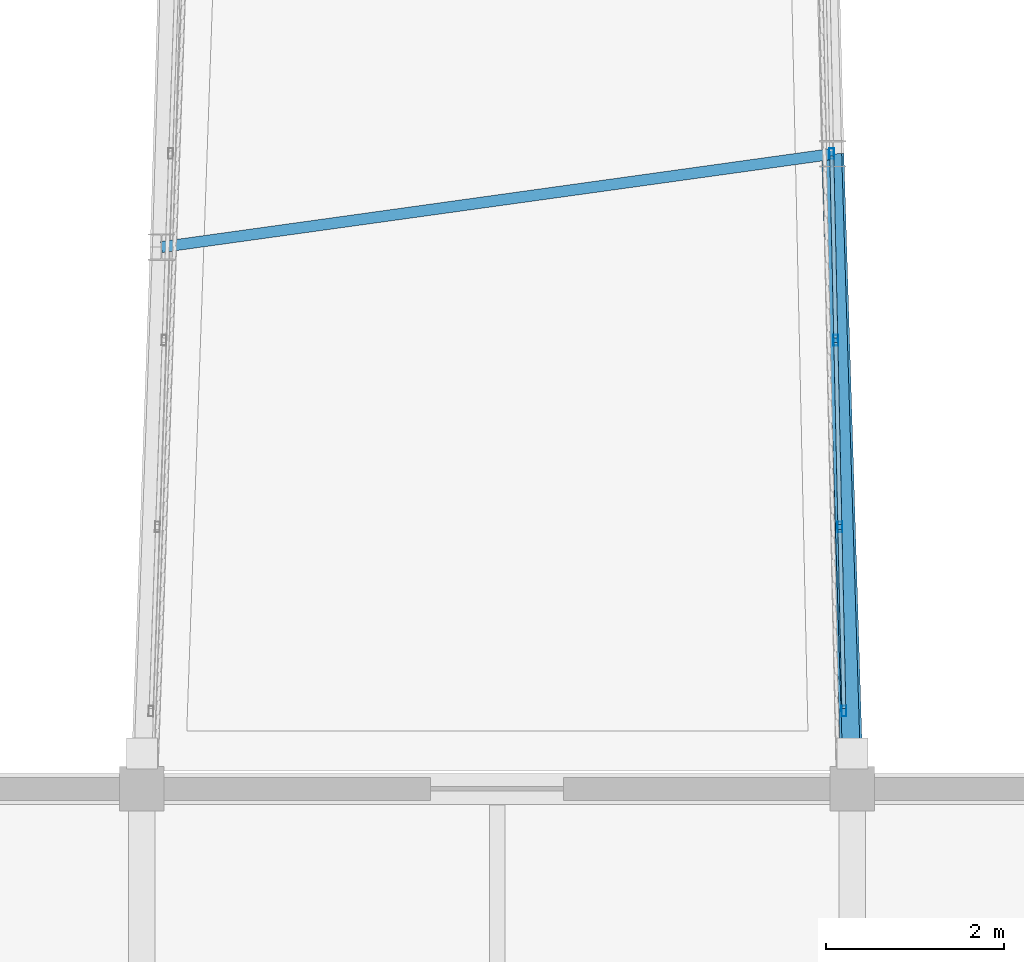
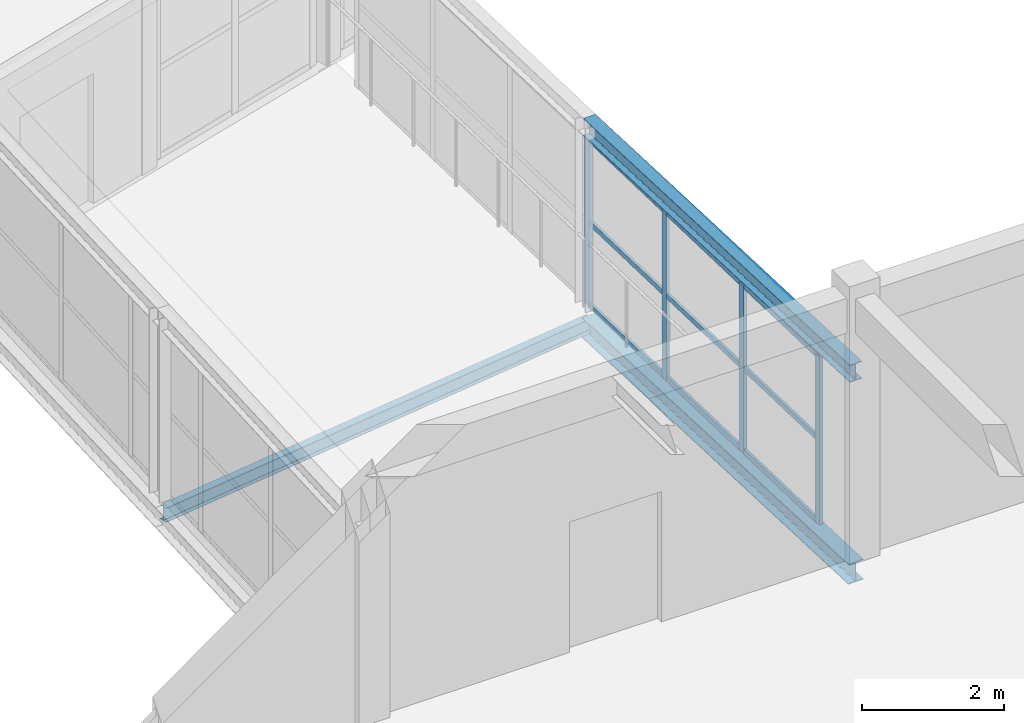
# One storey, part 21 of 248: 16 members, 1 element without a shape of its own.
"""IFC4 building model written with IfcOpenShell, lengths in metres."""

from ifc_helpers import new_model, si_unit, direction, frame, origin, origin_2d, place, context, subcontext, project, spatial, hollow_rectangle, i_section, extrude, material, layer, layer_set, material_profile, profile_set, type_object, element, aggregate, save


model = new_model("IFC4")

# Units and contexts
model_context = context("Model", 3, precision=1e-05, world=origin(), true_north=direction((0.0, 1.0)))
body_context = subcontext(model_context, "Body", "Model", "MODEL_VIEW")
ifc_project = project(units=[si_unit("LENGTHUNIT", "METRE"), si_unit("AREAUNIT", "SQUARE_METRE"), si_unit("VOLUMEUNIT", "CUBIC_METRE"), si_unit("PLANEANGLEUNIT", "RADIAN"), si_unit("MASSUNIT", "GRAM", prefix="KILO")], contexts=[model_context])

# Site, building, storey
site_placement = place(None, origin())
site = spatial("IfcSite", under=ifc_project, at=site_placement, CompositionType="ELEMENT")
building_placement = place(site_placement, origin())
building = spatial("IfcBuilding", under=site, at=building_placement, Name="Canggui Botanical Conservatory", CompositionType="ELEMENT")
storey_placement = place(building_placement, frame((0.0, 0.0, 5.39990234375)))
storey = spatial("IfcBuildingStorey", under=building, at=storey_placement, Name="L02", CompositionType="ELEMENT", Elevation=5.39990234375)

# Curtain wall, members
ifc_material_1 = material(Name="Thermally Broken Aluminium", Category="aluminium")
ifc_layer = layer(ifc_material_1, 0.1201171875, Name="Thermally Broken Aluminium", Category="aluminium")
ifc_layer_set = layer_set([ifc_layer], Name="Thermally Broken Aluminium")
curtain_wall_type = type_object("IfcCurtainWallType", Name="CW-STICK-B", PredefinedType="USERDEFINED", material=ifc_layer_set)
curtain_wall_placement = place(storey_placement, origin())
curtain_wall = element("IfcCurtainWall", 1, at=curtain_wall_placement, inside=storey, type_object=curtain_wall_type, Name="Facade Curtain Wall CW-SB-02-2", ObjectType="STICK GLAZED WALL", PredefinedType="USERDEFINED")
ifc_material_profile_1 = material_profile(ifc_material_1, hollow_rectangle(XDim=0.054931640625, YDim=0.1201171875, WallThickness=0.0029296875, at=origin_2d()), Name="CWM 55x120x3")
ifc_profile_set_1 = profile_set([ifc_material_profile_1], Name="Thermally Broken Aluminium")
member_type_1 = type_object("IfcMemberType", Name="CWM-05", PredefinedType="MULLION", material=ifc_profile_set_1)
member_1_placement = place(storey_placement, frame((41.9052734375, 34.87646484375, 0.0), z_axis=(0.0, 0.0, 1.0), x_axis=(-0.999761186008, -0.021853396804, 0.0)))
member_1 = element("IfcMember", 2, at=member_1_placement, type_object=member_type_1, Name="CW-05 mullion 1", PredefinedType="MULLION", context=body_context, shape_type="SweptSolid", body=[
    extrude(hollow_rectangle(XDim=0.054931640625, YDim=0.1201171875, WallThickness=0.0029296875, at=origin_2d()), origin(), (0.0, 0.0, 1.0), 2.900146484375),
])
member_2_placement = place(storey_placement, frame((41.85986328125, 36.950439453125, 0.0), z_axis=(0.0, 0.0, 1.0), x_axis=(-0.999761186008, -0.021853396804, 0.0)))
member_2 = element("IfcMember", 3, at=member_2_placement, type_object=member_type_1, Name="CW-05 mullion 2", PredefinedType="MULLION", context=body_context, shape_type="SweptSolid", body=[
    extrude(hollow_rectangle(XDim=0.054931640625, YDim=0.1201171875, WallThickness=0.0029296875, at=origin_2d()), origin(), (0.0, 0.0, 1.0), 2.900146484375),
])
member_3_placement = place(storey_placement, frame((41.81396484375, 39.0517578125, 0.0), z_axis=(0.0, 0.0, 1.0), x_axis=(-0.999761186008, -0.021853396804, 0.0)))
member_3 = element("IfcMember", 4, at=member_3_placement, type_object=member_type_1, Name="CW-05 mullion 3", PredefinedType="MULLION", context=body_context, shape_type="SweptSolid", body=[
    extrude(hollow_rectangle(XDim=0.054931640625, YDim=0.1201171875, WallThickness=0.0029296875, at=origin_2d()), origin(), (0.0, 0.0, 1.0), 2.900146484375),
])
member_4_placement = place(storey_placement, frame((41.76806640625, 41.153076171875, 0.0), z_axis=(0.0, 0.0, 1.0), x_axis=(-0.999761186008, -0.021853396804, 0.0)))
member_4 = element("IfcMember", 5, at=member_4_placement, type_object=member_type_1, Name="CW-05 mullion 4", PredefinedType="MULLION", context=body_context, shape_type="SweptSolid", body=[
    extrude(hollow_rectangle(XDim=0.054931640625, YDim=0.1201171875, WallThickness=0.0029296875, at=origin_2d()), origin(), (0.0, 0.0, 1.0), 2.900146484375),
])
ifc_material_profile_2 = material_profile(ifc_material_1, hollow_rectangle(XDim=0.044921875, YDim=0.090087890625, WallThickness=0.0029296875, at=origin_2d()), Name="CWT 45x90x3")
ifc_profile_set_2 = profile_set([ifc_material_profile_2], Name="Thermally Broken Aluminium")
member_type_2 = type_object("IfcMemberType", Name="CWT-05", PredefinedType="USERDEFINED", material=ifc_profile_set_2)
member_5_placement = place(storey_placement, frame((41.904541015625, 34.904052734375, 0.022705078125), z_axis=(-0.021883741024, 0.999760522265, 0.0), x_axis=(-0.999760522265, -0.021883741024, 0.0)))
member_5 = element("IfcMember", 6, at=member_5_placement, type_object=member_type_2, Name="CW-05 transom 1.1", ObjectType="TRANSOM", PredefinedType="USERDEFINED", context=body_context, shape_type="SweptSolid", body=[
    extrude(hollow_rectangle(XDim=0.044921875, YDim=0.090087890625, WallThickness=0.0029296875, at=origin_2d()), origin(), (0.0, 0.0, 1.0), 2.019287109375),
])
member_6_placement = place(storey_placement, frame((41.904541015625, 34.904052734375, 1.4501953125), z_axis=(-0.021883741024, 0.999760522265, 0.0), x_axis=(-0.999760522265, -0.021883741024, 0.0)))
member_6 = element("IfcMember", 7, at=member_6_placement, type_object=member_type_2, Name="CW-05 transom 1.2", ObjectType="TRANSOM", PredefinedType="USERDEFINED", context=body_context, shape_type="SweptSolid", body=[
    extrude(hollow_rectangle(XDim=0.044921875, YDim=0.090087890625, WallThickness=0.0029296875, at=origin_2d()), origin(), (0.0, 0.0, 1.0), 2.019287109375),
])
member_7_placement = place(storey_placement, frame((41.904541015625, 34.904052734375, 2.877685546875), z_axis=(-0.021883741024, 0.999760522265, 0.0), x_axis=(-0.999760522265, -0.021883741024, 0.0)))
member_7 = element("IfcMember", 8, at=member_7_placement, type_object=member_type_2, Name="CW-05 transom 1.3", ObjectType="TRANSOM", PredefinedType="USERDEFINED", context=body_context, shape_type="SweptSolid", body=[
    extrude(hollow_rectangle(XDim=0.044921875, YDim=0.090087890625, WallThickness=0.0029296875, at=origin_2d()), origin(), (0.0, 0.0, 1.0), 2.019287109375),
])
member_8_placement = place(storey_placement, frame((41.859375, 36.977783203125, 0.022705078125), z_axis=(-0.021946514306, 0.99975914625, 0.0), x_axis=(-0.99975914625, -0.021946514306, 0.0)))
member_8 = element("IfcMember", 9, at=member_8_placement, type_object=member_type_2, Name="CW-05 transom 2.1", ObjectType="TRANSOM", PredefinedType="USERDEFINED", context=body_context, shape_type="SweptSolid", body=[
    extrude(hollow_rectangle(XDim=0.044921875, YDim=0.090087890625, WallThickness=0.0029296875, at=origin_2d()), origin(), (0.0, 0.0, 1.0), 2.046875),
])
member_9_placement = place(storey_placement, frame((41.859375, 36.977783203125, 1.4501953125), z_axis=(-0.021946514306, 0.99975914625, 0.0), x_axis=(-0.99975914625, -0.021946514306, 0.0)))
member_9 = element("IfcMember", 10, at=member_9_placement, type_object=member_type_2, Name="CW-05 transom 2.2", ObjectType="TRANSOM", PredefinedType="USERDEFINED", context=body_context, shape_type="SweptSolid", body=[
    extrude(hollow_rectangle(XDim=0.044921875, YDim=0.090087890625, WallThickness=0.0029296875, at=origin_2d()), origin(), (0.0, 0.0, 1.0), 2.046875),
])
member_10_placement = place(storey_placement, frame((41.859375, 36.977783203125, 2.877685546875), z_axis=(-0.021946514306, 0.99975914625, 0.0), x_axis=(-0.99975914625, -0.021946514306, 0.0)))
member_10 = element("IfcMember", 11, at=member_10_placement, type_object=member_type_2, Name="CW-05 transom 2.3", ObjectType="TRANSOM", PredefinedType="USERDEFINED", context=body_context, shape_type="SweptSolid", body=[
    extrude(hollow_rectangle(XDim=0.044921875, YDim=0.090087890625, WallThickness=0.0029296875, at=origin_2d()), origin(), (0.0, 0.0, 1.0), 2.046875),
])
member_11_placement = place(storey_placement, frame((41.813232421875, 39.079345703125, 0.022705078125), z_axis=(-0.021827296753, 0.999761756178, 0.0), x_axis=(-0.999761756178, -0.021827296753, 0.0)))
member_11 = element("IfcMember", 12, at=member_11_placement, type_object=member_type_2, Name="CW-05 transom 3.1", ObjectType="TRANSOM", PredefinedType="USERDEFINED", context=body_context, shape_type="SweptSolid", body=[
    extrude(hollow_rectangle(XDim=0.044921875, YDim=0.090087890625, WallThickness=0.0029296875, at=origin_2d()), origin(), (0.0, 0.0, 1.0), 2.046875),
])
member_12_placement = place(storey_placement, frame((41.813232421875, 39.079345703125, 1.4501953125), z_axis=(-0.021827296753, 0.999761756178, 0.0), x_axis=(-0.999761756178, -0.021827296753, 0.0)))
member_12 = element("IfcMember", 13, at=member_12_placement, type_object=member_type_2, Name="CW-05 transom 3.2", ObjectType="TRANSOM", PredefinedType="USERDEFINED", context=body_context, shape_type="SweptSolid", body=[
    extrude(hollow_rectangle(XDim=0.044921875, YDim=0.090087890625, WallThickness=0.0029296875, at=origin_2d()), origin(), (0.0, 0.0, 1.0), 2.046875),
])
member_13_placement = place(storey_placement, frame((41.813232421875, 39.079345703125, 2.877685546875), z_axis=(-0.021827296753, 0.999761756178, 0.0), x_axis=(-0.999761756178, -0.021827296753, 0.0)))
member_13 = element("IfcMember", 14, at=member_13_placement, type_object=member_type_2, Name="CW-05 transom 3.3", ObjectType="TRANSOM", PredefinedType="USERDEFINED", context=body_context, shape_type="SweptSolid", body=[
    extrude(hollow_rectangle(XDim=0.044921875, YDim=0.090087890625, WallThickness=0.0029296875, at=origin_2d()), origin(), (0.0, 0.0, 1.0), 2.046875),
])
aggregate(curtain_wall, [member_1, member_2, member_3, member_4, member_5, member_6, member_7, member_8, member_9, member_10, member_11, member_12, member_13])

# Members
ifc_material_2 = material(Name="Steel Q355B", Category="steel")
ifc_material_profile_3 = material_profile(ifc_material_2, i_section(OverallWidth=0.125, OverallDepth=0.25, WebThickness=0.006103515625, FlangeThickness=0.009033203125, FilletRadius=0.011962890625, at=origin_2d()), Name="HN 250x125x6x9")
ifc_profile_set_3 = profile_set([ifc_material_profile_3], Name="Steel Q355B")
member_type_3 = type_object("IfcMemberType", Name="MEM-STR01", PredefinedType="STRINGER", material=ifc_profile_set_3)
member_14_placement = place(storey_placement, frame((34.219970703125, 40.10009765625, -0.31982421875), z_axis=(0.990495904918, 0.137542220214, 0.0), x_axis=(-0.137542220214, 0.990495904918, 0.0)))
element("IfcMember", 15, at=member_14_placement, inside=storey, type_object=member_type_3, Name="SB-02 Deck Transverse Stringer 1", PredefinedType="STRINGER", context=body_context, shape_type="SweptSolid", body=[
    extrude(i_section(OverallWidth=0.125, OverallDepth=0.25, WebThickness=0.006103515625, FlangeThickness=0.009033203125, FilletRadius=0.011962890625, at=origin_2d()), origin(), (0.0, 0.0, 1.0), 7.632568359375),
])
ifc_material_profile_4 = material_profile(ifc_material_2, i_section(OverallWidth=0.25, OverallDepth=0.35009765625, WebThickness=0.009033203125, FlangeThickness=0.013916015625, FilletRadius=0.02001953125, at=origin_2d()), Name="HM 350x250x9x14")
ifc_profile_set_4 = profile_set([ifc_material_profile_4], Name="Steel Q355B")
member_type_4 = type_object("IfcMemberType", Name="MEM-TC03", PredefinedType="CHORD", material=ifc_profile_set_4)
member_15_placement = place(storey_placement, frame((42.0, 34.0, -0.349853515625), z_axis=(-0.03075100374, 0.999527076056, 0.0), x_axis=(-0.999527076056, -0.03075100374, 0.0)))
element("IfcMember", 16, at=member_15_placement, inside=storey, type_object=member_type_4, Name="SB-02 Deck Truss Bottom Chord 2.1", PredefinedType="CHORD", context=body_context, shape_type="SweptSolid", body=[
    extrude(i_section(OverallWidth=0.25, OverallDepth=0.35009765625, WebThickness=0.009033203125, FlangeThickness=0.013916015625, FilletRadius=0.02001953125, at=origin_2d()), origin(), (0.0, 0.0, 1.0), 7.1533203125),
])
ifc_material_profile_5 = material_profile(ifc_material_2, i_section(OverallWidth=0.199951171875, OverallDepth=0.300048828125, WebThickness=0.008056640625, FlangeThickness=0.011962890625, FilletRadius=0.01806640625, at=origin_2d()), Name="HM 300x200x8x12")
ifc_profile_set_5 = profile_set([ifc_material_profile_5], Name="Steel Q355B")
member_type_5 = type_object("IfcMemberType", Name="MEM-TC04", PredefinedType="CHORD", material=ifc_profile_set_5)
member_16_placement = place(storey_placement, frame((42.0, 34.0, 3.10009765625), z_axis=(-0.03075100374, 0.999527076056, 0.0), x_axis=(-0.999527076056, -0.03075100374, 0.0)))
element("IfcMember", 17, at=member_16_placement, inside=storey, type_object=member_type_5, Name="SB-02 Roof Truss Top Chord 2.1", PredefinedType="CHORD", context=body_context, shape_type="SweptSolid", body=[
    extrude(i_section(OverallWidth=0.199951171875, OverallDepth=0.300048828125, WebThickness=0.008056640625, FlangeThickness=0.011962890625, FilletRadius=0.01806640625, at=origin_2d()), origin(), (0.0, 0.0, 1.0), 7.1533203125),
])

save(model, "model.ifc")
